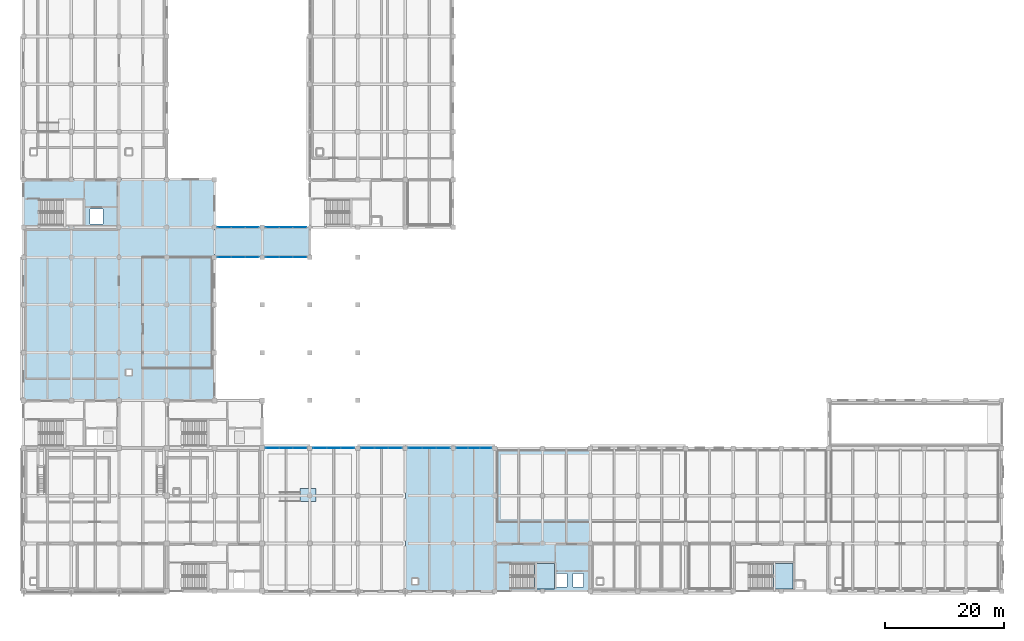
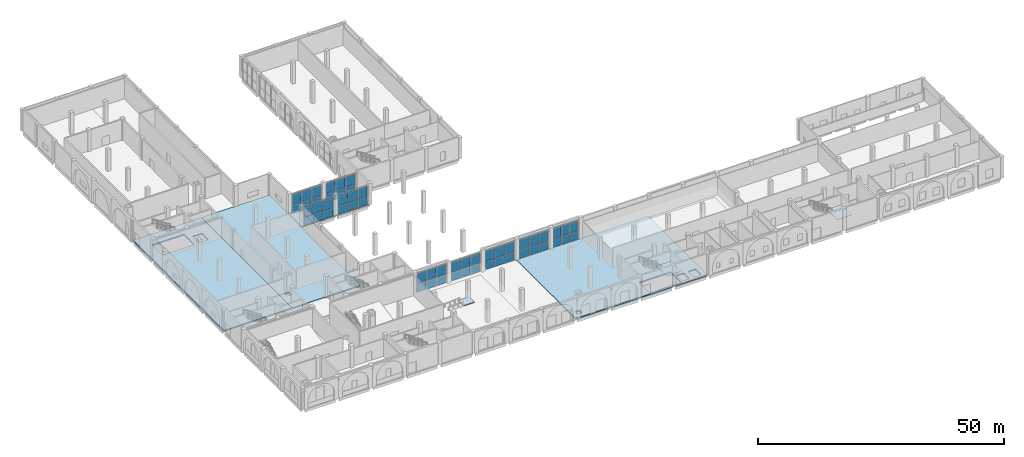
# One storey, part 13 of 40: 54 plates, 7 slabs, 11 elements without a shape of their own.
"""IFC4 building model written with IfcOpenShell, lengths in metres."""

from ifc_helpers import new_model, si_unit, direction, frame, origin, origin_2d, place, context, subcontext, project, spatial, polyline, rectangle, outline, extrude, material, layer, layer_set, type_object, element, aggregate, save


model = new_model("IFC4")

# Units and contexts
model_context = context("Model", 3, precision=1e-05, world=origin(), true_north=direction((0.0, 1.0)))
body_context = subcontext(model_context, "Body", "Model", "MODEL_VIEW")
ifc_project = project(units=[si_unit("LENGTHUNIT", "METRE"), si_unit("AREAUNIT", "SQUARE_METRE"), si_unit("VOLUMEUNIT", "CUBIC_METRE"), si_unit("PLANEANGLEUNIT", "RADIAN"), si_unit("MASSUNIT", "GRAM", prefix="KILO")], contexts=[model_context])

# Site, building, storey
site_placement = place(None, origin())
site = spatial("IfcSite", under=ifc_project, at=site_placement, CompositionType="ELEMENT")
building_placement = place(site_placement, origin())
building = spatial("IfcBuilding", under=site, at=building_placement, Name="Qorikala Patio Media Centre", CompositionType="ELEMENT")
storey_placement = place(building_placement, origin())
storey = spatial("IfcBuildingStorey", under=building, at=storey_placement, Name="L00", CompositionType="ELEMENT", Elevation=0.0)

# Curtain wall, plates
ifc_material_1 = material(Name="Bronze Anodised Aluminium and Low-E Glass", Category="aluminium")
ifc_layer_1 = layer(ifc_material_1, 0.159912109375)
ifc_layer_set_1 = layer_set([ifc_layer_1], Name="Bronze Anodised Aluminium and Low-E Glass")
curtain_wall_type_1 = type_object("IfcCurtainWallType", Name="CW-PAT-696X475", PredefinedType="USERDEFINED", material=ifc_layer_set_1)
curtain_wall_1_placement = place(storey_placement, origin())
curtain_wall_1 = element("IfcCurtainWall", 1, at=curtain_wall_1_placement, inside=storey, type_object=curtain_wall_type_1, Name="L00 Courtyard Curtain Wall 001", ObjectType="COURTYARD CURTAIN WALL", PredefinedType="USERDEFINED")
ifc_material_2 = material(Name="Low-E Double Glazing Glass", Category="glass")
ifc_layer_2 = layer(ifc_material_2, 0.028076171875)
ifc_layer_set_2 = layer_set([ifc_layer_2], Name="Low-E Double Glazing Glass")
plate_type = type_object("IfcPlateType", Name="CWP-28", PredefinedType="CURTAIN_PANEL", material=ifc_layer_set_2)
plate_1_placement = place(storey_placement, frame((44.697509765625, 27.0, 0.06982421875), z_axis=(0.0, 0.0, 1.0), x_axis=(1.0, 0.0, 0.0)))
plate_1 = element("IfcPlate", 2, at=plate_1_placement, type_object=plate_type, Name="CWP696475 panel 1.1", PredefinedType="CURTAIN_PANEL", context=body_context, shape_type="SweptSolid", body=[
    extrude(rectangle(XDim=2.215087890625, YDim=0.028076171875, at=origin_2d()), origin(), (0.0, 0.0, 1.0), 2.032470703125),
])
plate_2_placement = place(storey_placement, frame((44.697509765625, 27.0, 2.17236328125), z_axis=(0.0, 0.0, 1.0), x_axis=(1.0, 0.0, 0.0)))
plate_2 = element("IfcPlate", 3, at=plate_2_placement, type_object=plate_type, Name="CWP696475 panel 1.2", PredefinedType="CURTAIN_PANEL", context=body_context, shape_type="SweptSolid", body=[
    extrude(rectangle(XDim=2.215087890625, YDim=0.028076171875, at=origin_2d()), origin(), (0.0, 0.0, 1.0), 2.507568359375),
])
plate_3_placement = place(storey_placement, frame((47.0, 27.0, 0.06982421875), z_axis=(0.0, 0.0, 1.0), x_axis=(1.0, 0.0, 0.0)))
plate_3 = element("IfcPlate", 4, at=plate_3_placement, type_object=plate_type, Name="CWP696475 panel 2.1", PredefinedType="CURTAIN_PANEL", context=body_context, shape_type="SweptSolid", body=[
    extrude(rectangle(XDim=2.25, YDim=0.028076171875, at=origin_2d()), origin(), (0.0, 0.0, 1.0), 2.032470703125),
])
plate_4_placement = place(storey_placement, frame((47.0, 27.0, 2.17236328125), z_axis=(0.0, 0.0, 1.0), x_axis=(1.0, 0.0, 0.0)))
plate_4 = element("IfcPlate", 5, at=plate_4_placement, type_object=plate_type, Name="CWP696475 panel 2.2", PredefinedType="CURTAIN_PANEL", context=body_context, shape_type="SweptSolid", body=[
    extrude(rectangle(XDim=2.25, YDim=0.028076171875, at=origin_2d()), origin(), (0.0, 0.0, 1.0), 2.507568359375),
])
plate_5_placement = place(storey_placement, frame((49.302490234375, 27.0, 0.06982421875), z_axis=(0.0, 0.0, 1.0), x_axis=(1.0, 0.0, 0.0)))
plate_5 = element("IfcPlate", 6, at=plate_5_placement, type_object=plate_type, Name="CWP696475 panel 3.1", PredefinedType="CURTAIN_PANEL", context=body_context, shape_type="SweptSolid", body=[
    extrude(rectangle(XDim=2.215087890625, YDim=0.028076171875, at=origin_2d()), origin(), (0.0, 0.0, 1.0), 2.032470703125),
])
plate_6_placement = place(storey_placement, frame((49.302490234375, 27.0, 2.17236328125), z_axis=(0.0, 0.0, 1.0), x_axis=(1.0, 0.0, 0.0)))
plate_6 = element("IfcPlate", 7, at=plate_6_placement, type_object=plate_type, Name="CWP696475 panel 3.2", PredefinedType="CURTAIN_PANEL", context=body_context, shape_type="SweptSolid", body=[
    extrude(rectangle(XDim=2.215087890625, YDim=0.028076171875, at=origin_2d()), origin(), (0.0, 0.0, 1.0), 2.507568359375),
])
aggregate(curtain_wall_1, [plate_1, plate_2, plate_3, plate_4, plate_5, plate_6])

curtain_wall_2_placement = place(storey_placement, origin())
curtain_wall_2 = element("IfcCurtainWall", 8, at=curtain_wall_2_placement, inside=storey, type_object=curtain_wall_type_1, Name="L00 Courtyard Curtain Wall 002", ObjectType="COURTYARD CURTAIN WALL", PredefinedType="USERDEFINED")
plate_7_placement = place(storey_placement, frame((52.697509765625, 27.0, 0.06982421875), z_axis=(0.0, 0.0, 1.0), x_axis=(1.0, 0.0, 0.0)))
plate_7 = element("IfcPlate", 9, at=plate_7_placement, type_object=plate_type, Name="CWP696475 panel 1.1", PredefinedType="CURTAIN_PANEL", context=body_context, shape_type="SweptSolid", body=[
    extrude(rectangle(XDim=2.215087890625, YDim=0.028076171875, at=origin_2d()), origin(), (0.0, 0.0, 1.0), 2.032470703125),
])
plate_8_placement = place(storey_placement, frame((52.697509765625, 27.0, 2.17236328125), z_axis=(0.0, 0.0, 1.0), x_axis=(1.0, 0.0, 0.0)))
plate_8 = element("IfcPlate", 10, at=plate_8_placement, type_object=plate_type, Name="CWP696475 panel 1.2", PredefinedType="CURTAIN_PANEL", context=body_context, shape_type="SweptSolid", body=[
    extrude(rectangle(XDim=2.215087890625, YDim=0.028076171875, at=origin_2d()), origin(), (0.0, 0.0, 1.0), 2.507568359375),
])
plate_9_placement = place(storey_placement, frame((55.0, 27.0, 0.06982421875), z_axis=(0.0, 0.0, 1.0), x_axis=(1.0, 0.0, 0.0)))
plate_9 = element("IfcPlate", 11, at=plate_9_placement, type_object=plate_type, Name="CWP696475 panel 2.1", PredefinedType="CURTAIN_PANEL", context=body_context, shape_type="SweptSolid", body=[
    extrude(rectangle(XDim=2.25, YDim=0.028076171875, at=origin_2d()), origin(), (0.0, 0.0, 1.0), 2.032470703125),
])
plate_10_placement = place(storey_placement, frame((55.0, 27.0, 2.17236328125), z_axis=(0.0, 0.0, 1.0), x_axis=(1.0, 0.0, 0.0)))
plate_10 = element("IfcPlate", 12, at=plate_10_placement, type_object=plate_type, Name="CWP696475 panel 2.2", PredefinedType="CURTAIN_PANEL", context=body_context, shape_type="SweptSolid", body=[
    extrude(rectangle(XDim=2.25, YDim=0.028076171875, at=origin_2d()), origin(), (0.0, 0.0, 1.0), 2.507568359375),
])
plate_11_placement = place(storey_placement, frame((57.302490234375, 27.0, 0.06982421875), z_axis=(0.0, 0.0, 1.0), x_axis=(1.0, 0.0, 0.0)))
plate_11 = element("IfcPlate", 13, at=plate_11_placement, type_object=plate_type, Name="CWP696475 panel 3.1", PredefinedType="CURTAIN_PANEL", context=body_context, shape_type="SweptSolid", body=[
    extrude(rectangle(XDim=2.215087890625, YDim=0.028076171875, at=origin_2d()), origin(), (0.0, 0.0, 1.0), 2.032470703125),
])
plate_12_placement = place(storey_placement, frame((57.302490234375, 27.0, 2.17236328125), z_axis=(0.0, 0.0, 1.0), x_axis=(1.0, 0.0, 0.0)))
plate_12 = element("IfcPlate", 14, at=plate_12_placement, type_object=plate_type, Name="CWP696475 panel 3.2", PredefinedType="CURTAIN_PANEL", context=body_context, shape_type="SweptSolid", body=[
    extrude(rectangle(XDim=2.215087890625, YDim=0.028076171875, at=origin_2d()), origin(), (0.0, 0.0, 1.0), 2.507568359375),
])
aggregate(curtain_wall_2, [plate_7, plate_8, plate_9, plate_10, plate_11, plate_12])

curtain_wall_3_placement = place(storey_placement, origin())
curtain_wall_3 = element("IfcCurtainWall", 15, at=curtain_wall_3_placement, inside=storey, type_object=curtain_wall_type_1, Name="L00 Courtyard Curtain Wall 003", ObjectType="COURTYARD CURTAIN WALL", PredefinedType="USERDEFINED")
plate_13_placement = place(storey_placement, frame((60.697509765625, 27.0, 0.06982421875), z_axis=(0.0, 0.0, 1.0), x_axis=(1.0, 0.0, 0.0)))
plate_13 = element("IfcPlate", 16, at=plate_13_placement, type_object=plate_type, Name="CWP696475 panel 1.1", PredefinedType="CURTAIN_PANEL", context=body_context, shape_type="SweptSolid", body=[
    extrude(rectangle(XDim=2.215087890625, YDim=0.028076171875, at=origin_2d()), origin(), (0.0, 0.0, 1.0), 2.032470703125),
])
plate_14_placement = place(storey_placement, frame((60.697509765625, 27.0, 2.17236328125), z_axis=(0.0, 0.0, 1.0), x_axis=(1.0, 0.0, 0.0)))
plate_14 = element("IfcPlate", 17, at=plate_14_placement, type_object=plate_type, Name="CWP696475 panel 1.2", PredefinedType="CURTAIN_PANEL", context=body_context, shape_type="SweptSolid", body=[
    extrude(rectangle(XDim=2.215087890625, YDim=0.028076171875, at=origin_2d()), origin(), (0.0, 0.0, 1.0), 2.507568359375),
])
plate_15_placement = place(storey_placement, frame((63.0, 27.0, 0.06982421875), z_axis=(0.0, 0.0, 1.0), x_axis=(1.0, 0.0, 0.0)))
plate_15 = element("IfcPlate", 18, at=plate_15_placement, type_object=plate_type, Name="CWP696475 panel 2.1", PredefinedType="CURTAIN_PANEL", context=body_context, shape_type="SweptSolid", body=[
    extrude(rectangle(XDim=2.25, YDim=0.028076171875, at=origin_2d()), origin(), (0.0, 0.0, 1.0), 2.032470703125),
])
plate_16_placement = place(storey_placement, frame((63.0, 27.0, 2.17236328125), z_axis=(0.0, 0.0, 1.0), x_axis=(1.0, 0.0, 0.0)))
plate_16 = element("IfcPlate", 19, at=plate_16_placement, type_object=plate_type, Name="CWP696475 panel 2.2", PredefinedType="CURTAIN_PANEL", context=body_context, shape_type="SweptSolid", body=[
    extrude(rectangle(XDim=2.25, YDim=0.028076171875, at=origin_2d()), origin(), (0.0, 0.0, 1.0), 2.507568359375),
])
plate_17_placement = place(storey_placement, frame((65.302490234375, 27.0, 0.06982421875), z_axis=(0.0, 0.0, 1.0), x_axis=(1.0, 0.0, 0.0)))
plate_17 = element("IfcPlate", 20, at=plate_17_placement, type_object=plate_type, Name="CWP696475 panel 3.1", PredefinedType="CURTAIN_PANEL", context=body_context, shape_type="SweptSolid", body=[
    extrude(rectangle(XDim=2.215087890625, YDim=0.028076171875, at=origin_2d()), origin(), (0.0, 0.0, 1.0), 2.032470703125),
])
plate_18_placement = place(storey_placement, frame((65.302490234375, 27.0, 2.17236328125), z_axis=(0.0, 0.0, 1.0), x_axis=(1.0, 0.0, 0.0)))
plate_18 = element("IfcPlate", 21, at=plate_18_placement, type_object=plate_type, Name="CWP696475 panel 3.2", PredefinedType="CURTAIN_PANEL", context=body_context, shape_type="SweptSolid", body=[
    extrude(rectangle(XDim=2.215087890625, YDim=0.028076171875, at=origin_2d()), origin(), (0.0, 0.0, 1.0), 2.507568359375),
])
aggregate(curtain_wall_3, [plate_13, plate_14, plate_15, plate_16, plate_17, plate_18])

curtain_wall_4_placement = place(storey_placement, origin())
curtain_wall_4 = element("IfcCurtainWall", 22, at=curtain_wall_4_placement, inside=storey, type_object=curtain_wall_type_1, Name="L00 Courtyard Curtain Wall 004", ObjectType="COURTYARD CURTAIN WALL", PredefinedType="USERDEFINED")
plate_19_placement = place(storey_placement, frame((68.697509765625, 27.0, 0.06982421875), z_axis=(0.0, 0.0, 1.0), x_axis=(1.0, 0.0, 0.0)))
plate_19 = element("IfcPlate", 23, at=plate_19_placement, type_object=plate_type, Name="CWP696475 panel 1.1", PredefinedType="CURTAIN_PANEL", context=body_context, shape_type="SweptSolid", body=[
    extrude(rectangle(XDim=2.215087890625, YDim=0.028076171875, at=origin_2d()), origin(), (0.0, 0.0, 1.0), 2.032470703125),
])
plate_20_placement = place(storey_placement, frame((68.697509765625, 27.0, 2.17236328125), z_axis=(0.0, 0.0, 1.0), x_axis=(1.0, 0.0, 0.0)))
plate_20 = element("IfcPlate", 24, at=plate_20_placement, type_object=plate_type, Name="CWP696475 panel 1.2", PredefinedType="CURTAIN_PANEL", context=body_context, shape_type="SweptSolid", body=[
    extrude(rectangle(XDim=2.215087890625, YDim=0.028076171875, at=origin_2d()), origin(), (0.0, 0.0, 1.0), 2.507568359375),
])
plate_21_placement = place(storey_placement, frame((71.0, 27.0, 0.06982421875), z_axis=(0.0, 0.0, 1.0), x_axis=(1.0, 0.0, 0.0)))
plate_21 = element("IfcPlate", 25, at=plate_21_placement, type_object=plate_type, Name="CWP696475 panel 2.1", PredefinedType="CURTAIN_PANEL", context=body_context, shape_type="SweptSolid", body=[
    extrude(rectangle(XDim=2.25, YDim=0.028076171875, at=origin_2d()), origin(), (0.0, 0.0, 1.0), 2.032470703125),
])
plate_22_placement = place(storey_placement, frame((71.0, 27.0, 2.17236328125), z_axis=(0.0, 0.0, 1.0), x_axis=(1.0, 0.0, 0.0)))
plate_22 = element("IfcPlate", 26, at=plate_22_placement, type_object=plate_type, Name="CWP696475 panel 2.2", PredefinedType="CURTAIN_PANEL", context=body_context, shape_type="SweptSolid", body=[
    extrude(rectangle(XDim=2.25, YDim=0.028076171875, at=origin_2d()), origin(), (0.0, 0.0, 1.0), 2.507568359375),
])
plate_23_placement = place(storey_placement, frame((73.302490234375, 27.0, 0.06982421875), z_axis=(0.0, 0.0, 1.0), x_axis=(1.0, 0.0, 0.0)))
plate_23 = element("IfcPlate", 27, at=plate_23_placement, type_object=plate_type, Name="CWP696475 panel 3.1", PredefinedType="CURTAIN_PANEL", context=body_context, shape_type="SweptSolid", body=[
    extrude(rectangle(XDim=2.215087890625, YDim=0.028076171875, at=origin_2d()), origin(), (0.0, 0.0, 1.0), 2.032470703125),
])
plate_24_placement = place(storey_placement, frame((73.302490234375, 27.0, 2.17236328125), z_axis=(0.0, 0.0, 1.0), x_axis=(1.0, 0.0, 0.0)))
plate_24 = element("IfcPlate", 28, at=plate_24_placement, type_object=plate_type, Name="CWP696475 panel 3.2", PredefinedType="CURTAIN_PANEL", context=body_context, shape_type="SweptSolid", body=[
    extrude(rectangle(XDim=2.215087890625, YDim=0.028076171875, at=origin_2d()), origin(), (0.0, 0.0, 1.0), 2.507568359375),
])
aggregate(curtain_wall_4, [plate_19, plate_20, plate_21, plate_22, plate_23, plate_24])

ifc_layer_3 = layer(ifc_material_1, 0.159912109375)
ifc_layer_set_3 = layer_set([ifc_layer_3], Name="Bronze Anodised Aluminium and Low-E Glass")
curtain_wall_type_2 = type_object("IfcCurtainWallType", Name="CW-PAT-596X475", PredefinedType="USERDEFINED", material=ifc_layer_set_3)
curtain_wall_5_placement = place(storey_placement, origin())
curtain_wall_5 = element("IfcCurtainWall", 29, at=curtain_wall_5_placement, inside=storey, type_object=curtain_wall_type_2, Name="L00 Courtyard Curtain Wall 005", ObjectType="COURTYARD CURTAIN WALL", PredefinedType="USERDEFINED")
plate_25_placement = place(storey_placement, frame((76.53076171875, 27.0, 0.06982421875), z_axis=(0.0, 0.0, 1.0), x_axis=(1.0, 0.0, 0.0)))
plate_25 = element("IfcPlate", 30, at=plate_25_placement, type_object=plate_type, Name="CWP596475 panel 1.1", PredefinedType="CURTAIN_PANEL", context=body_context, shape_type="SweptSolid", body=[
    extrude(rectangle(XDim=1.881591796875, YDim=0.028076171875, at=origin_2d()), origin(), (0.0, 0.0, 1.0), 2.032470703125),
])
plate_26_placement = place(storey_placement, frame((76.53076171875, 27.0, 2.17236328125), z_axis=(0.0, 0.0, 1.0), x_axis=(1.0, 0.0, 0.0)))
plate_26 = element("IfcPlate", 31, at=plate_26_placement, type_object=plate_type, Name="CWP596475 panel 1.2", PredefinedType="CURTAIN_PANEL", context=body_context, shape_type="SweptSolid", body=[
    extrude(rectangle(XDim=1.881591796875, YDim=0.028076171875, at=origin_2d()), origin(), (0.0, 0.0, 1.0), 2.507568359375),
])
plate_27_placement = place(storey_placement, frame((78.5, 27.0, 0.06982421875), z_axis=(0.0, 0.0, 1.0), x_axis=(1.0, 0.0, 0.0)))
plate_27 = element("IfcPlate", 32, at=plate_27_placement, type_object=plate_type, Name="CWP596475 panel 2.1", PredefinedType="CURTAIN_PANEL", context=body_context, shape_type="SweptSolid", body=[
    extrude(rectangle(XDim=1.916748046875, YDim=0.028076171875, at=origin_2d()), origin(), (0.0, 0.0, 1.0), 2.032470703125),
])
plate_28_placement = place(storey_placement, frame((78.5, 27.0, 2.17236328125), z_axis=(0.0, 0.0, 1.0), x_axis=(1.0, 0.0, 0.0)))
plate_28 = element("IfcPlate", 33, at=plate_28_placement, type_object=plate_type, Name="CWP596475 panel 2.2", PredefinedType="CURTAIN_PANEL", context=body_context, shape_type="SweptSolid", body=[
    extrude(rectangle(XDim=1.916748046875, YDim=0.028076171875, at=origin_2d()), origin(), (0.0, 0.0, 1.0), 2.507568359375),
])
plate_29_placement = place(storey_placement, frame((80.46923828125, 27.0, 0.06982421875), z_axis=(0.0, 0.0, 1.0), x_axis=(1.0, 0.0, 0.0)))
plate_29 = element("IfcPlate", 34, at=plate_29_placement, type_object=plate_type, Name="CWP596475 panel 3.1", PredefinedType="CURTAIN_PANEL", context=body_context, shape_type="SweptSolid", body=[
    extrude(rectangle(XDim=1.881591796875, YDim=0.028076171875, at=origin_2d()), origin(), (0.0, 0.0, 1.0), 2.032470703125),
])
plate_30_placement = place(storey_placement, frame((80.46923828125, 27.0, 2.17236328125), z_axis=(0.0, 0.0, 1.0), x_axis=(1.0, 0.0, 0.0)))
plate_30 = element("IfcPlate", 35, at=plate_30_placement, type_object=plate_type, Name="CWP596475 panel 3.2", PredefinedType="CURTAIN_PANEL", context=body_context, shape_type="SweptSolid", body=[
    extrude(rectangle(XDim=1.881591796875, YDim=0.028076171875, at=origin_2d()), origin(), (0.0, 0.0, 1.0), 2.507568359375),
])
aggregate(curtain_wall_5, [plate_25, plate_26, plate_27, plate_28, plate_29, plate_30])

ifc_layer_4 = layer(ifc_material_1, 0.159912109375)
ifc_layer_set_4 = layer_set([ifc_layer_4], Name="Bronze Anodised Aluminium and Low-E Glass")
curtain_wall_type_3 = type_object("IfcCurtainWallType", Name="CW-ARC-696X475", PredefinedType="USERDEFINED", material=ifc_layer_set_4)
curtain_wall_6_placement = place(storey_placement, origin())
curtain_wall_6 = element("IfcCurtainWall", 36, at=curtain_wall_6_placement, inside=storey, type_object=curtain_wall_type_3, Name="L00 Courtyard Curtain Wall 006", ObjectType="COURTYARD CURTAIN WALL", PredefinedType="USERDEFINED")
plate_31_placement = place(storey_placement, frame((36.697509765625, 64.0, 0.06982421875), z_axis=(0.0, 0.0, 1.0), x_axis=(1.0, 0.0, 0.0)))
plate_31 = element("IfcPlate", 37, at=plate_31_placement, type_object=plate_type, Name="CWA696475 panel 1.1", PredefinedType="CURTAIN_PANEL", context=body_context, shape_type="SweptSolid", body=[
    extrude(rectangle(XDim=2.215087890625, YDim=0.028076171875, at=origin_2d()), origin(), (0.0, 0.0, 1.0), 2.032470703125),
])
plate_32_placement = place(storey_placement, frame((36.697509765625, 64.0, 2.17236328125), z_axis=(0.0, 0.0, 1.0), x_axis=(1.0, 0.0, 0.0)))
plate_32 = element("IfcPlate", 38, at=plate_32_placement, type_object=plate_type, Name="CWA696475 panel 1.2", PredefinedType="CURTAIN_PANEL", context=body_context, shape_type="SweptSolid", body=[
    extrude(rectangle(XDim=2.215087890625, YDim=0.028076171875, at=origin_2d()), origin(), (0.0, 0.0, 1.0), 2.507568359375),
])
plate_33_placement = place(storey_placement, frame((39.0, 64.0, 0.06982421875), z_axis=(0.0, 0.0, 1.0), x_axis=(1.0, 0.0, 0.0)))
plate_33 = element("IfcPlate", 39, at=plate_33_placement, type_object=plate_type, Name="CWA696475 panel 2.1", PredefinedType="CURTAIN_PANEL", context=body_context, shape_type="SweptSolid", body=[
    extrude(rectangle(XDim=2.25, YDim=0.028076171875, at=origin_2d()), origin(), (0.0, 0.0, 1.0), 2.032470703125),
])
plate_34_placement = place(storey_placement, frame((39.0, 64.0, 2.17236328125), z_axis=(0.0, 0.0, 1.0), x_axis=(1.0, 0.0, 0.0)))
plate_34 = element("IfcPlate", 40, at=plate_34_placement, type_object=plate_type, Name="CWA696475 panel 2.2", PredefinedType="CURTAIN_PANEL", context=body_context, shape_type="SweptSolid", body=[
    extrude(rectangle(XDim=2.25, YDim=0.028076171875, at=origin_2d()), origin(), (0.0, 0.0, 1.0), 2.507568359375),
])
plate_35_placement = place(storey_placement, frame((41.302490234375, 64.0, 0.06982421875), z_axis=(0.0, 0.0, 1.0), x_axis=(1.0, 0.0, 0.0)))
plate_35 = element("IfcPlate", 41, at=plate_35_placement, type_object=plate_type, Name="CWA696475 panel 3.1", PredefinedType="CURTAIN_PANEL", context=body_context, shape_type="SweptSolid", body=[
    extrude(rectangle(XDim=2.215087890625, YDim=0.028076171875, at=origin_2d()), origin(), (0.0, 0.0, 1.0), 2.032470703125),
])
plate_36_placement = place(storey_placement, frame((41.302490234375, 64.0, 2.17236328125), z_axis=(0.0, 0.0, 1.0), x_axis=(1.0, 0.0, 0.0)))
plate_36 = element("IfcPlate", 42, at=plate_36_placement, type_object=plate_type, Name="CWA696475 panel 3.2", PredefinedType="CURTAIN_PANEL", context=body_context, shape_type="SweptSolid", body=[
    extrude(rectangle(XDim=2.215087890625, YDim=0.028076171875, at=origin_2d()), origin(), (0.0, 0.0, 1.0), 2.507568359375),
])
aggregate(curtain_wall_6, [plate_31, plate_32, plate_33, plate_34, plate_35, plate_36])

curtain_wall_7_placement = place(storey_placement, origin())
curtain_wall_7 = element("IfcCurtainWall", 43, at=curtain_wall_7_placement, inside=storey, type_object=curtain_wall_type_3, Name="L00 Courtyard Curtain Wall 007", ObjectType="COURTYARD CURTAIN WALL", PredefinedType="USERDEFINED")
plate_37_placement = place(storey_placement, frame((44.697509765625, 64.0, 0.06982421875), z_axis=(0.0, 0.0, 1.0), x_axis=(1.0, 0.0, 0.0)))
plate_37 = element("IfcPlate", 44, at=plate_37_placement, type_object=plate_type, Name="CWA696475 panel 1.1", PredefinedType="CURTAIN_PANEL", context=body_context, shape_type="SweptSolid", body=[
    extrude(rectangle(XDim=2.215087890625, YDim=0.028076171875, at=origin_2d()), origin(), (0.0, 0.0, 1.0), 2.032470703125),
])
plate_38_placement = place(storey_placement, frame((44.697509765625, 64.0, 2.17236328125), z_axis=(0.0, 0.0, 1.0), x_axis=(1.0, 0.0, 0.0)))
plate_38 = element("IfcPlate", 45, at=plate_38_placement, type_object=plate_type, Name="CWA696475 panel 1.2", PredefinedType="CURTAIN_PANEL", context=body_context, shape_type="SweptSolid", body=[
    extrude(rectangle(XDim=2.215087890625, YDim=0.028076171875, at=origin_2d()), origin(), (0.0, 0.0, 1.0), 2.507568359375),
])
plate_39_placement = place(storey_placement, frame((47.0, 64.0, 0.06982421875), z_axis=(0.0, 0.0, 1.0), x_axis=(1.0, 0.0, 0.0)))
plate_39 = element("IfcPlate", 46, at=plate_39_placement, type_object=plate_type, Name="CWA696475 panel 2.1", PredefinedType="CURTAIN_PANEL", context=body_context, shape_type="SweptSolid", body=[
    extrude(rectangle(XDim=2.25, YDim=0.028076171875, at=origin_2d()), origin(), (0.0, 0.0, 1.0), 2.032470703125),
])
plate_40_placement = place(storey_placement, frame((47.0, 64.0, 2.17236328125), z_axis=(0.0, 0.0, 1.0), x_axis=(1.0, 0.0, 0.0)))
plate_40 = element("IfcPlate", 47, at=plate_40_placement, type_object=plate_type, Name="CWA696475 panel 2.2", PredefinedType="CURTAIN_PANEL", context=body_context, shape_type="SweptSolid", body=[
    extrude(rectangle(XDim=2.25, YDim=0.028076171875, at=origin_2d()), origin(), (0.0, 0.0, 1.0), 2.507568359375),
])
plate_41_placement = place(storey_placement, frame((49.302490234375, 64.0, 0.06982421875), z_axis=(0.0, 0.0, 1.0), x_axis=(1.0, 0.0, 0.0)))
plate_41 = element("IfcPlate", 48, at=plate_41_placement, type_object=plate_type, Name="CWA696475 panel 3.1", PredefinedType="CURTAIN_PANEL", context=body_context, shape_type="SweptSolid", body=[
    extrude(rectangle(XDim=2.215087890625, YDim=0.028076171875, at=origin_2d()), origin(), (0.0, 0.0, 1.0), 2.032470703125),
])
plate_42_placement = place(storey_placement, frame((49.302490234375, 64.0, 2.17236328125), z_axis=(0.0, 0.0, 1.0), x_axis=(1.0, 0.0, 0.0)))
plate_42 = element("IfcPlate", 49, at=plate_42_placement, type_object=plate_type, Name="CWA696475 panel 3.2", PredefinedType="CURTAIN_PANEL", context=body_context, shape_type="SweptSolid", body=[
    extrude(rectangle(XDim=2.215087890625, YDim=0.028076171875, at=origin_2d()), origin(), (0.0, 0.0, 1.0), 2.507568359375),
])
aggregate(curtain_wall_7, [plate_37, plate_38, plate_39, plate_40, plate_41, plate_42])

curtain_wall_8_placement = place(storey_placement, origin())
curtain_wall_8 = element("IfcCurtainWall", 50, at=curtain_wall_8_placement, inside=storey, type_object=curtain_wall_type_3, Name="L00 Courtyard Curtain Wall 008", ObjectType="COURTYARD CURTAIN WALL", PredefinedType="USERDEFINED")
plate_43_placement = place(storey_placement, frame((49.302490234375, 59.0, 0.06982421875), z_axis=(0.0, 0.0, 1.0), x_axis=(-1.0, 0.0, 0.0)))
plate_43 = element("IfcPlate", 51, at=plate_43_placement, type_object=plate_type, Name="CWA696475 panel 1.1", PredefinedType="CURTAIN_PANEL", context=body_context, shape_type="SweptSolid", body=[
    extrude(rectangle(XDim=2.215087890625, YDim=0.028076171875, at=origin_2d()), origin(), (0.0, 0.0, 1.0), 2.032470703125),
])
plate_44_placement = place(storey_placement, frame((49.302490234375, 59.0, 2.17236328125), z_axis=(0.0, 0.0, 1.0), x_axis=(-1.0, 0.0, 0.0)))
plate_44 = element("IfcPlate", 52, at=plate_44_placement, type_object=plate_type, Name="CWA696475 panel 1.2", PredefinedType="CURTAIN_PANEL", context=body_context, shape_type="SweptSolid", body=[
    extrude(rectangle(XDim=2.215087890625, YDim=0.028076171875, at=origin_2d()), origin(), (0.0, 0.0, 1.0), 2.507568359375),
])
plate_45_placement = place(storey_placement, frame((47.0, 59.0, 0.06982421875), z_axis=(0.0, 0.0, 1.0), x_axis=(-1.0, 0.0, 0.0)))
plate_45 = element("IfcPlate", 53, at=plate_45_placement, type_object=plate_type, Name="CWA696475 panel 2.1", PredefinedType="CURTAIN_PANEL", context=body_context, shape_type="SweptSolid", body=[
    extrude(rectangle(XDim=2.25, YDim=0.028076171875, at=origin_2d()), origin(), (0.0, 0.0, 1.0), 2.032470703125),
])
plate_46_placement = place(storey_placement, frame((47.0, 59.0, 2.17236328125), z_axis=(0.0, 0.0, 1.0), x_axis=(-1.0, 0.0, 0.0)))
plate_46 = element("IfcPlate", 54, at=plate_46_placement, type_object=plate_type, Name="CWA696475 panel 2.2", PredefinedType="CURTAIN_PANEL", context=body_context, shape_type="SweptSolid", body=[
    extrude(rectangle(XDim=2.25, YDim=0.028076171875, at=origin_2d()), origin(), (0.0, 0.0, 1.0), 2.507568359375),
])
plate_47_placement = place(storey_placement, frame((44.697509765625, 59.0, 0.06982421875), z_axis=(0.0, 0.0, 1.0), x_axis=(-1.0, 0.0, 0.0)))
plate_47 = element("IfcPlate", 55, at=plate_47_placement, type_object=plate_type, Name="CWA696475 panel 3.1", PredefinedType="CURTAIN_PANEL", context=body_context, shape_type="SweptSolid", body=[
    extrude(rectangle(XDim=2.215087890625, YDim=0.028076171875, at=origin_2d()), origin(), (0.0, 0.0, 1.0), 2.032470703125),
])
plate_48_placement = place(storey_placement, frame((44.697509765625, 59.0, 2.17236328125), z_axis=(0.0, 0.0, 1.0), x_axis=(-1.0, 0.0, 0.0)))
plate_48 = element("IfcPlate", 56, at=plate_48_placement, type_object=plate_type, Name="CWA696475 panel 3.2", PredefinedType="CURTAIN_PANEL", context=body_context, shape_type="SweptSolid", body=[
    extrude(rectangle(XDim=2.215087890625, YDim=0.028076171875, at=origin_2d()), origin(), (0.0, 0.0, 1.0), 2.507568359375),
])
aggregate(curtain_wall_8, [plate_43, plate_44, plate_45, plate_46, plate_47, plate_48])

curtain_wall_9_placement = place(storey_placement, origin())
curtain_wall_9 = element("IfcCurtainWall", 57, at=curtain_wall_9_placement, inside=storey, type_object=curtain_wall_type_3, Name="L00 Courtyard Curtain Wall 009", ObjectType="COURTYARD CURTAIN WALL", PredefinedType="USERDEFINED")
plate_49_placement = place(storey_placement, frame((41.302490234375, 59.0, 0.06982421875), z_axis=(0.0, 0.0, 1.0), x_axis=(-1.0, 0.0, 0.0)))
plate_49 = element("IfcPlate", 58, at=plate_49_placement, type_object=plate_type, Name="CWA696475 panel 1.1", PredefinedType="CURTAIN_PANEL", context=body_context, shape_type="SweptSolid", body=[
    extrude(rectangle(XDim=2.215087890625, YDim=0.028076171875, at=origin_2d()), origin(), (0.0, 0.0, 1.0), 2.032470703125),
])
plate_50_placement = place(storey_placement, frame((41.302490234375, 59.0, 2.17236328125), z_axis=(0.0, 0.0, 1.0), x_axis=(-1.0, 0.0, 0.0)))
plate_50 = element("IfcPlate", 59, at=plate_50_placement, type_object=plate_type, Name="CWA696475 panel 1.2", PredefinedType="CURTAIN_PANEL", context=body_context, shape_type="SweptSolid", body=[
    extrude(rectangle(XDim=2.215087890625, YDim=0.028076171875, at=origin_2d()), origin(), (0.0, 0.0, 1.0), 2.507568359375),
])
plate_51_placement = place(storey_placement, frame((39.0, 59.0, 0.06982421875), z_axis=(0.0, 0.0, 1.0), x_axis=(-1.0, 0.0, 0.0)))
plate_51 = element("IfcPlate", 60, at=plate_51_placement, type_object=plate_type, Name="CWA696475 panel 2.1", PredefinedType="CURTAIN_PANEL", context=body_context, shape_type="SweptSolid", body=[
    extrude(rectangle(XDim=2.25, YDim=0.028076171875, at=origin_2d()), origin(), (0.0, 0.0, 1.0), 2.032470703125),
])
plate_52_placement = place(storey_placement, frame((39.0, 59.0, 2.17236328125), z_axis=(0.0, 0.0, 1.0), x_axis=(-1.0, 0.0, 0.0)))
plate_52 = element("IfcPlate", 61, at=plate_52_placement, type_object=plate_type, Name="CWA696475 panel 2.2", PredefinedType="CURTAIN_PANEL", context=body_context, shape_type="SweptSolid", body=[
    extrude(rectangle(XDim=2.25, YDim=0.028076171875, at=origin_2d()), origin(), (0.0, 0.0, 1.0), 2.507568359375),
])
plate_53_placement = place(storey_placement, frame((36.697509765625, 59.0, 0.06982421875), z_axis=(0.0, 0.0, 1.0), x_axis=(-1.0, 0.0, 0.0)))
plate_53 = element("IfcPlate", 62, at=plate_53_placement, type_object=plate_type, Name="CWA696475 panel 3.1", PredefinedType="CURTAIN_PANEL", context=body_context, shape_type="SweptSolid", body=[
    extrude(rectangle(XDim=2.215087890625, YDim=0.028076171875, at=origin_2d()), origin(), (0.0, 0.0, 1.0), 2.032470703125),
])
plate_54_placement = place(storey_placement, frame((36.697509765625, 59.0, 2.17236328125), z_axis=(0.0, 0.0, 1.0), x_axis=(-1.0, 0.0, 0.0)))
plate_54 = element("IfcPlate", 63, at=plate_54_placement, type_object=plate_type, Name="CWA696475 panel 3.2", PredefinedType="CURTAIN_PANEL", context=body_context, shape_type="SweptSolid", body=[
    extrude(rectangle(XDim=2.215087890625, YDim=0.028076171875, at=origin_2d()), origin(), (0.0, 0.0, 1.0), 2.507568359375),
])
aggregate(curtain_wall_9, [plate_49, plate_50, plate_51, plate_52, plate_53, plate_54])

# Slabs
ifc_material_3 = material(Name="Concrete C35/45", Category="concrete")
ifc_layer_5 = layer(ifc_material_3, 0.300048828125)
ifc_layer_set_5 = layer_set([ifc_layer_5], Name="Concrete C35/45")
slab_type_1 = type_object("IfcSlabType", Name="SL-FLOOR-300", PredefinedType="FLOOR", material=ifc_layer_set_5)
slab_1_placement = place(storey_placement, frame((0.0, 0.0, -0.300048828125)))
element("IfcSlab", 64, at=slab_1_placement, inside=storey, type_object=slab_type_1, Name="L00 V2B Slab 4.1", PredefinedType="FLOOR", context=body_context, shape_type="SweptSolid", body=[
    extrude(outline(polyline([(98.0, 3.0), (67.0, 3.0), (67.0, 27.0), (98.0, 27.0), (98.0, 3.0)]), holes=[polyline([(68.199951171875, 4.199951171875), (69.10009765625, 4.199951171875), (69.10009765625, 5.10009765625), (68.199951171875, 5.10009765625), (68.199951171875, 4.199951171875)]), polyline([(92.320068359375, 3.669921875), (94.080078125, 3.669921875), (94.080078125, 5.929931640625), (92.320068359375, 5.929931640625), (92.320068359375, 3.669921875)]), polyline([(95.1201171875, 3.669921875), (96.8798828125, 3.669921875), (96.8798828125, 5.929931640625), (95.1201171875, 5.929931640625), (95.1201171875, 3.669921875)]), polyline([(92.0, 3.39990234375), (92.0, 7.60009765625), (84.60009765625, 7.60009765625), (84.60009765625, 3.39990234375), (92.0, 3.39990234375)])]), origin(), (0.0, 0.0, 1.0), 0.300048828125),
])
slab_2_placement = place(storey_placement, frame((0.0, 0.0, -0.300048828125)))
element("IfcSlab", 65, at=slab_2_placement, inside=storey, type_object=slab_type_1, Name="L00 V3A Slab 5.1", PredefinedType="FLOOR", context=body_context, shape_type="SweptSolid", body=[
    extrude(outline(polyline([(19.0, 72.0), (19.0, 35.0), (3.0, 35.0), (3.0, 72.0), (19.0, 72.0)]), holes=[polyline([(14.1201171875, 64.52001953125), (16.280029296875, 64.52001953125), (16.280029296875, 67.080078125), (14.1201171875, 67.080078125), (14.1201171875, 64.52001953125)]), polyline([(13.0, 64.39990234375), (13.0, 68.60009765625), (5.60009765625, 68.60009765625), (5.60009765625, 64.39990234375), (13.0, 64.39990234375)])]), origin(), (0.0, 0.0, 1.0), 0.300048828125),
])
slab_3_placement = place(storey_placement, frame((0.0, 0.0, -0.300048828125)))
element("IfcSlab", 66, at=slab_3_placement, inside=storey, type_object=slab_type_1, Name="L00 V3B Slab 6.1", PredefinedType="FLOOR", context=body_context, shape_type="SweptSolid", body=[
    extrude(outline(polyline([(35.0, 35.0), (27.0, 35.0), (19.0, 35.0), (19.0, 72.0), (35.0, 72.0), (35.0, 35.0)]), holes=[polyline([(20.199951171875, 39.199951171875), (21.10009765625, 39.199951171875), (21.10009765625, 40.10009765625), (20.199951171875, 40.10009765625), (20.199951171875, 39.199951171875)])]), origin(), (0.0, 0.0, 1.0), 0.300048828125),
])

# Stair, slab
ifc_material_4 = material(Name="Precast concrete C40/50", Category="concrete")
stair_type = type_object("IfcStairType", Name="ST-DL-30R180W200", PredefinedType="HALF_TURN_STAIR", material=ifc_material_4)
stair_1_placement = place(storey_placement, origin())
stair_1 = element("IfcStair", 67, at=stair_1_placement, inside=storey, type_object=stair_type, Name="L00 Core C4 Exit Stair ST-4", PredefinedType="HALF_TURN_STAIR")
ifc_layer_6 = layer(ifc_material_4, 0.199951171875)
ifc_layer_set_6 = layer_set([ifc_layer_6], Name="Precast concrete C40/50")
slab_type_2 = type_object("IfcSlabType", Name="SL-LAND-200", PredefinedType="LANDING", material=ifc_layer_set_6)
slab_4_placement = place(storey_placement, frame((0.0, 0.0, 2.5)))
slab_4 = element("IfcSlab", 68, at=slab_4_placement, type_object=slab_type_2, Name="ST-4 landing 1", PredefinedType="LANDING", context=body_context, shape_type="SweptSolid", body=[
    extrude(outline(polyline([(88.659912109375, 3.39990234375), (92.0, 3.39990234375), (92.0, 7.60009765625), (88.659912109375, 7.60009765625), (88.659912109375, 3.39990234375)])), origin(), (0.0, 0.0, 1.0), 0.199951171875),
])
aggregate(stair_1, [slab_4])

stair_2_placement = place(storey_placement, origin())
stair_2 = element("IfcStair", 69, at=stair_2_placement, inside=storey, type_object=stair_type, Name="L00 Core C7 Exit Stair ST-7", PredefinedType="HALF_TURN_STAIR")
slab_5_placement = place(storey_placement, frame((0.0, 0.0, 2.5)))
slab_5 = element("IfcSlab", 70, at=slab_5_placement, type_object=slab_type_2, Name="ST-7 landing 1", PredefinedType="LANDING", context=body_context, shape_type="SweptSolid", body=[
    extrude(outline(polyline([(128.659912109375, 3.39990234375), (132.0, 3.39990234375), (132.0, 7.60009765625), (128.659912109375, 7.60009765625), (128.659912109375, 3.39990234375)])), origin(), (0.0, 0.0, 1.0), 0.199951171875),
])
aggregate(stair_2, [slab_5])

# Slabs
ifc_layer_7 = layer(ifc_material_3, 0.280029296875)
ifc_layer_set_7 = layer_set([ifc_layer_7], Name="Concrete C35/45")
slab_type_3 = type_object("IfcSlabType", Name="SL-STUDIO-280", PredefinedType="FLOOR", material=ifc_layer_set_7)
slab_6_placement = place(storey_placement, origin())
element("IfcSlab", 71, at=slab_6_placement, inside=storey, type_object=slab_type_3, Name="L00 Accessible Raised Platform RP-04", PredefinedType="FLOOR", context=body_context, shape_type="SweptSolid", body=[
    extrude(outline(polyline([(49.360107421875, 18.0), (52.0, 18.0), (52.0, 20.199951171875), (49.360107421875, 20.199951171875), (49.360107421875, 18.0)])), origin(), (0.0, 0.0, 1.0), 0.239990234375),
])
ifc_material_5 = material(Name="Comanche Stone Paving and Concrete C35/45", Category="masonry")
ifc_layer_8 = layer(ifc_material_5, 0.25)
ifc_layer_set_8 = layer_set([ifc_layer_8], Name="Comanche Stone Paving and Concrete C35/45")
slab_type_4 = type_object("IfcSlabType", Name="SL-TERR-260", PredefinedType="FLOOR", material=ifc_layer_set_8)
slab_7_placement = place(storey_placement, frame((0.0, 0.0, -0.25)))
element("IfcSlab", 72, at=slab_7_placement, inside=storey, type_object=slab_type_4, Name="L00 PORTAL_N Slab 13.1", PredefinedType="FLOOR", context=body_context, shape_type="SweptSolid", body=[
    extrude(outline(polyline([(35.0, 59.0), (35.0, 64.0), (51.0, 64.0), (51.0, 59.0), (35.0, 59.0)])), origin(), (0.0, 0.0, 1.0), 0.25),
])

save(model, "model.ifc")
